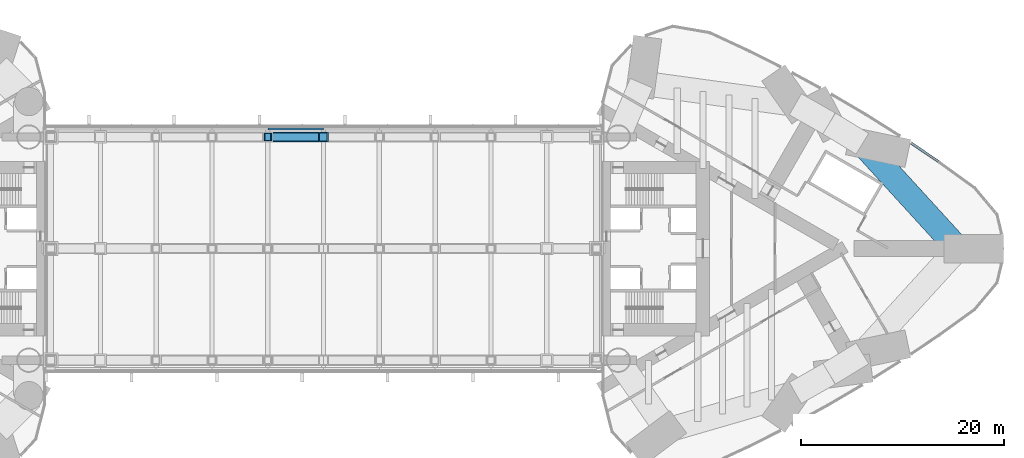
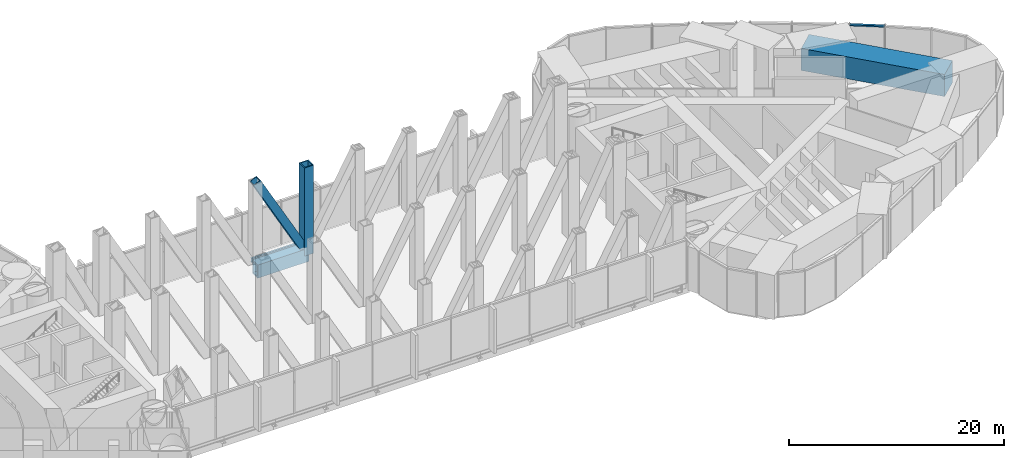
# One storey, part 10 of 21: 4 members, 2 beams, 1 element without a shape of its own.
"""IFC4 building model written with IfcOpenShell, lengths in metres."""

from ifc_helpers import new_model, si_unit, direction, frame, origin, origin_2d, place, context, subcontext, project, spatial, rectangle, hollow_rectangle, i_section, extrude, material, material_profile, profile_set, type_object, element, aggregate, save


model = new_model("IFC4")

# Units and contexts
model_context = context("Model", 3, precision=1e-05, world=origin(), true_north=direction((0.0, 1.0)))
body_context = subcontext(model_context, "Body", "Model", "MODEL_VIEW")
ifc_project = project(units=[si_unit("LENGTHUNIT", "METRE"), si_unit("AREAUNIT", "SQUARE_METRE"), si_unit("VOLUMEUNIT", "CUBIC_METRE"), si_unit("PLANEANGLEUNIT", "RADIAN"), si_unit("MASSUNIT", "GRAM", prefix="KILO")], contexts=[model_context])

# Site, building, storey
site_placement = place(None, origin())
site = spatial("IfcSite", under=ifc_project, at=site_placement, CompositionType="ELEMENT")
building_placement = place(site_placement, origin())
building = spatial("IfcBuilding", under=site, at=building_placement, Name="Lancet Gate Hotel", CompositionType="ELEMENT")
storey_placement = place(building_placement, frame((0.0, 0.0, 205.300048828125)))
storey = spatial("IfcBuildingStorey", under=building, at=storey_placement, Name="L55", CompositionType="ELEMENT", Elevation=205.300048828125)

# Curtain wall, member
ifc_material_1 = material(Name="Aluminium curtain wall", Category="aluminium")
curtain_wall_type = type_object("IfcCurtainWallType", Name="Refuge storey louvred curtain wall", PredefinedType="USERDEFINED", material=ifc_material_1)
curtain_wall_placement = place(storey_placement, origin())
curtain_wall = element("IfcCurtainWall", 1, at=curtain_wall_placement, inside=storey, type_object=curtain_wall_type, Name="T2 L55 curtain wall 6", ObjectType="LANTERN GLAZING", PredefinedType="USERDEFINED")
ifc_material_2 = material(Name="Aluminium transom", Category="aluminium")
ifc_material_profile_1 = material_profile(ifc_material_2, rectangle(XDim=0.25, YDim=0.14990234375, at=origin_2d()), Name="TRANSOM 250x150")
ifc_profile_set_1 = profile_set([ifc_material_profile_1], Name="Aluminium transom")
member_type_1 = type_object("IfcMemberType", Name="Aluminium transom 250x150", PredefinedType="USERDEFINED", material=ifc_profile_set_1)
member_1_placement = place(storey_placement, frame((60.63330078125, 8.565673828125, 4.925048828125), z_axis=(-0.829038986246, 0.559190807581, 0.0), x_axis=(-0.559190807581, -0.829038986246, 0.0)))
member_1 = element("IfcMember", 2, at=member_1_placement, type_object=member_type_1, Name="T2 L55 curtain wall 6 transom 4", ObjectType="TRANSOM", PredefinedType="USERDEFINED", context=body_context, shape_type="SweptSolid", body=[
    extrude(rectangle(XDim=0.25, YDim=0.14990234375, at=origin_2d()), origin(), (0.0, 0.0, 1.0), 3.256103515625),
])
aggregate(curtain_wall, [member_1])

# Beams
ifc_material_3 = material(Name="Steel S355", Category="steel")
ifc_material_profile_2 = material_profile(ifc_material_3, i_section(OverallWidth=0.19140625, OverallDepth=0.4599609375, WebThickness=0.010009765625, FlangeThickness=0.01611328125, FilletRadius=0.01025390625, at=origin_2d()), Name="UKB 457x191x82")
ifc_profile_set_2 = profile_set([ifc_material_profile_2], Name="Steel S355")
beam_type_1 = type_object("IfcBeamType", Name="Block edge beam UKB 457x191x82", PredefinedType="SPANDREL", material=ifc_profile_set_2)
beam_1_placement = place(storey_placement, frame((-5.5, 11.800048828125, -0.429931640625), z_axis=(1.0, 0.0, 0.0), x_axis=(0.0, 1.0, 0.0)))
element("IfcBeam", 3, at=beam_1_placement, inside=storey, type_object=beam_type_1, Name="Block edge beam N 4-5 L55", PredefinedType="SPANDREL", context=body_context, shape_type="SweptSolid", body=[
    extrude(i_section(OverallWidth=0.19140625, OverallDepth=0.4599609375, WebThickness=0.010009765625, FlangeThickness=0.01611328125, FilletRadius=0.01025390625, at=origin_2d()), origin(), (0.0, 0.0, 1.0), 5.5),
])
ifc_material_4 = material(Name="Concrete C50/60", Category="concrete")
ifc_material_profile_3 = material_profile(ifc_material_4, rectangle(XDim=2.39990234375, YDim=2.5, at=origin_2d()), Name="RC 2400x2500")
ifc_profile_set_3 = profile_set([ifc_material_profile_3], Name="Concrete C50/60")
beam_type_2 = type_object("IfcBeamType", Name="Tie ring beam RC 2400x2500", PredefinedType="SPANDREL", material=ifc_profile_set_3)
beam_2_placement = place(storey_placement, frame((62.54150390625, 0.0, 3.5), z_axis=(-0.674209372947, 0.738540263919, 0.0), x_axis=(-0.738540263919, -0.674209372947, 0.0)))
element("IfcBeam", 4, at=beam_2_placement, inside=storey, type_object=beam_type_2, Name="T2 tie ring beam RG1 L55", PredefinedType="SPANDREL", context=body_context, shape_type="SweptSolid", body=[
    extrude(rectangle(XDim=2.39990234375, YDim=2.5, at=origin_2d()), origin(), (0.0, 0.0, 1.0), 13.992431640625),
])

# Members
ifc_material_5 = material(Name="Steel S460QL", Category="steel")
ifc_material_profile_4 = material_profile(ifc_material_5, hollow_rectangle(XDim=1.0, YDim=1.5, WallThickness=0.14990234375, at=origin_2d()), Name="BOX 1500x1000x150")
ifc_profile_set_4 = profile_set([ifc_material_profile_4], Name="Steel S460QL")
member_type_2 = type_object("IfcMemberType", Name="Truss bottom chord BOX 1500x1000x150", PredefinedType="CHORD", material=ifc_profile_set_4)
member_2_placement = place(storey_placement, frame((-5.5, 11.0, -0.949951171875), z_axis=(1.0, 0.0, 0.0), x_axis=(0.0, 1.0, 0.0)))
element("IfcMember", 5, at=member_2_placement, inside=storey, type_object=member_type_2, Name="Truss N bottom chord panel 5", PredefinedType="CHORD", context=body_context, shape_type="SweptSolid", body=[
    extrude(hollow_rectangle(XDim=1.0, YDim=1.5, WallThickness=0.14990234375, at=origin_2d()), origin(), (0.0, 0.0, 1.0), 5.5),
])
ifc_material_6 = material(Name="Steel S460QL", Category="steel")
ifc_material_profile_5 = material_profile(ifc_material_6, hollow_rectangle(XDim=0.800048828125, YDim=0.800048828125, WallThickness=0.070068359375, at=origin_2d()), Name="BOX 800x800x70")
ifc_profile_set_5 = profile_set([ifc_material_profile_5], Name="Steel S460QL")
member_type_3 = type_object("IfcMemberType", Name="Truss diagonal BOX 800x800x70", PredefinedType="BRACE", material=ifc_profile_set_5)
member_3_placement = place(storey_placement, frame((-5.5, 11.0, 9.050048828125), z_axis=(0.481918749772, 0.0, -0.876215908677), x_axis=(0.0, 1.0, 0.0)))
element("IfcMember", 6, at=member_3_placement, inside=storey, type_object=member_type_3, Name="Truss N diagonal panel 5", PredefinedType="BRACE", context=body_context, shape_type="SweptSolid", body=[
    extrude(hollow_rectangle(XDim=0.800048828125, YDim=0.800048828125, WallThickness=0.070068359375, at=origin_2d()), origin(), (0.0, 0.0, 1.0), 11.41259765625),
])
ifc_material_7 = material(Name="Steel S460QL", Category="steel")
ifc_material_profile_6 = material_profile(ifc_material_7, hollow_rectangle(XDim=1.0, YDim=1.0, WallThickness=0.10009765625, at=origin_2d()), Name="BOX 1000x1000x100")
ifc_profile_set_6 = profile_set([ifc_material_profile_6], Name="Steel S460QL")
member_type_4 = type_object("IfcMemberType", Name="Truss post BOX 1000x1000x100", PredefinedType="POST", material=ifc_profile_set_6)
member_4_placement = place(storey_placement, frame((0.0, 11.0, -0.949951171875), z_axis=(0.0, 0.0, 1.0), x_axis=(1.0, 0.0, 0.0)))
element("IfcMember", 7, at=member_4_placement, inside=storey, type_object=member_type_4, Name="Truss N post 5", PredefinedType="POST", context=body_context, shape_type="SweptSolid", body=[
    extrude(hollow_rectangle(XDim=1.0, YDim=1.0, WallThickness=0.10009765625, at=origin_2d()), origin(), (0.0, 0.0, 1.0), 10.0),
])

save(model, "model.ifc")
